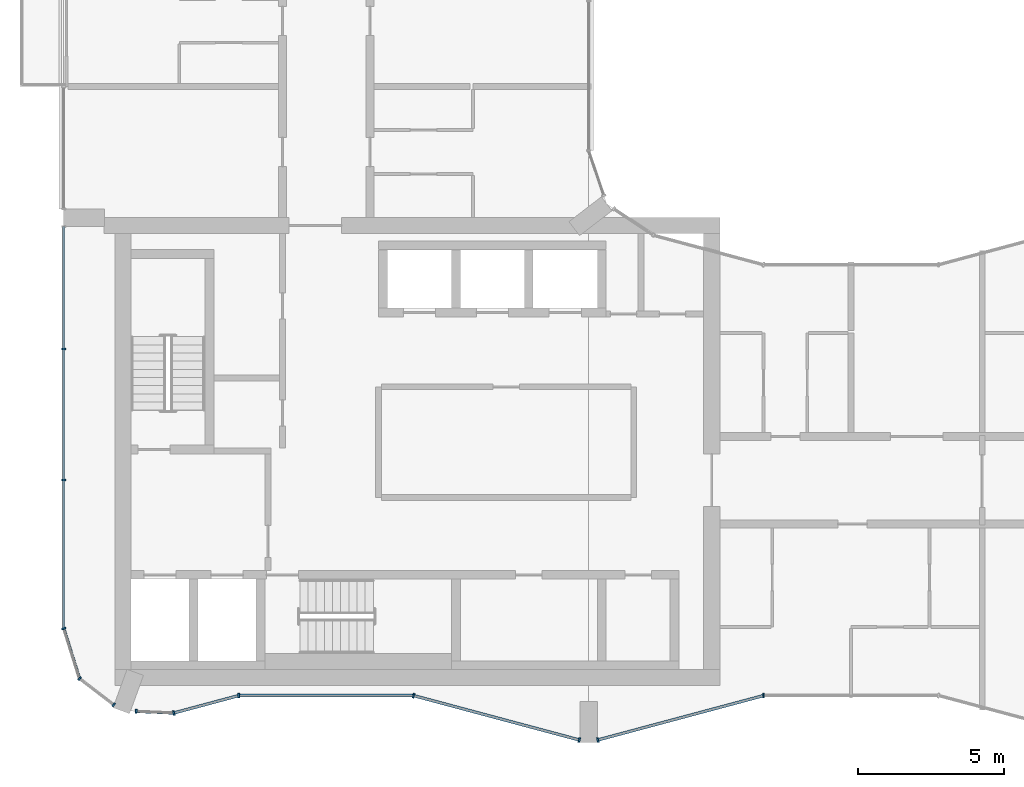
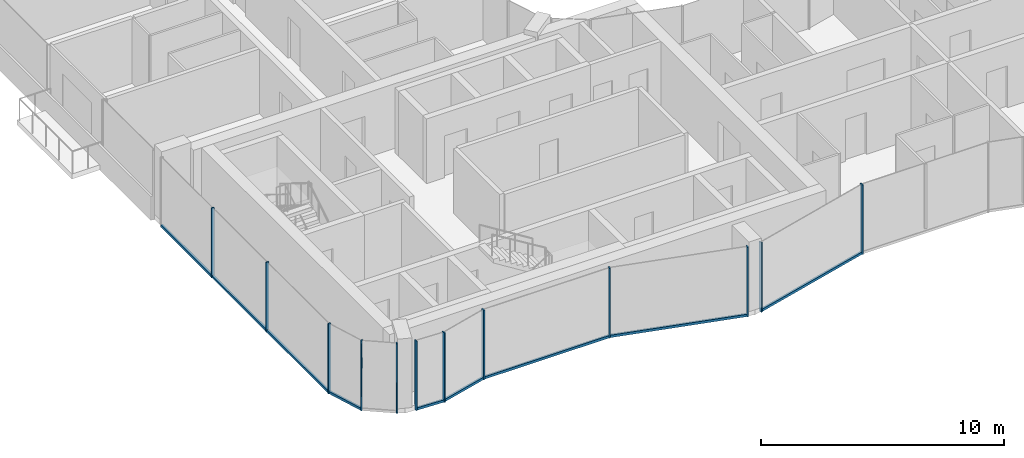
# One storey, part 2 of 16: 19 members, 9 elements without a shape of their own.
"""IFC4 building model written with IfcOpenShell, lengths in metres."""

from ifc_helpers import new_model, si_unit, direction, frame, origin, origin_2d, place, context, subcontext, project, spatial, rectangle, extrude, material, layer, layer_set, material_profile, profile_set, type_object, element, aggregate, save


model = new_model("IFC4")

# Units and contexts
model_context = context("Model", 3, precision=1e-05, world=origin(), true_north=direction((0.0, 1.0)))
body_context = subcontext(model_context, "Body", "Model", "MODEL_VIEW")
ifc_project = project(units=[si_unit("LENGTHUNIT", "METRE"), si_unit("AREAUNIT", "SQUARE_METRE"), si_unit("VOLUMEUNIT", "CUBIC_METRE"), si_unit("PLANEANGLEUNIT", "RADIAN"), si_unit("MASSUNIT", "GRAM", prefix="KILO")], contexts=[model_context])

# Site, building, storey
site_placement = place(None, origin())
site = spatial("IfcSite", under=ifc_project, at=site_placement, CompositionType="ELEMENT")
building_placement = place(site_placement, origin())
building = spatial("IfcBuilding", under=site, at=building_placement, Name="Plateau Cross Towers", CompositionType="ELEMENT")
storey_placement = place(building_placement, frame((0.0, 0.0, 211.89990234375)))
storey = spatial("IfcBuildingStorey", under=building, at=storey_placement, Name="L55", CompositionType="ELEMENT", Elevation=211.89990234375)

# Curtain wall, members
ifc_material_1 = material(Name="Dark low-iron glass", Category="glass")
ifc_layer_1 = layer(ifc_material_1, 0.239990234375)
ifc_layer_set_1 = layer_set([ifc_layer_1], Name="Dark low-iron glass")
curtain_wall_type_1 = type_object("IfcCurtainWallType", Name="Curtain wall flush unitised CW-B", PredefinedType="NOTDEFINED", material=ifc_layer_set_1)
curtain_wall_1_placement = place(storey_placement, origin())
curtain_wall_1 = element("IfcCurtainWall", 1, at=curtain_wall_1_placement, inside=storey, type_object=curtain_wall_type_1, Name="ENV/A/L55/A0_177", PredefinedType="NOTDEFINED")
ifc_material_2 = material(Name="Black anodised aluminium", Category="aluminium")
ifc_material_profile_1 = material_profile(ifc_material_2, rectangle(XDim=0.06005859375, YDim=0.139892578125, at=origin_2d()), Name="MULLION 60x140")
ifc_profile_set_1 = profile_set([ifc_material_profile_1], Name="Black anodised aluminium")
member_type_1 = type_object("IfcMemberType", Name="Mullion 60x140 flush unitised", PredefinedType="MULLION", material=ifc_profile_set_1)
member_1_placement = place(storey_placement, frame((0.0, 13.5, -0.25), z_axis=(0.0, 0.0, 1.0), x_axis=(0.0, -1.0, 0.0)))
member_1 = element("IfcMember", 2, at=member_1_placement, type_object=member_type_1, Name="CW-B mullion 2", PredefinedType="MULLION", context=body_context, shape_type="SweptSolid", body=[
    extrude(rectangle(XDim=0.06005859375, YDim=0.139892578125, at=origin_2d()), origin(), (0.0, 0.0, 1.0), 3.5),
])
member_2_placement = place(storey_placement, frame((0.0, 9.0, -0.25), z_axis=(0.0, 0.0, 1.0), x_axis=(0.0, -1.0, 0.0)))
member_2 = element("IfcMember", 3, at=member_2_placement, type_object=member_type_1, Name="CW-B mullion 3", PredefinedType="MULLION", context=body_context, shape_type="SweptSolid", body=[
    extrude(rectangle(XDim=0.06005859375, YDim=0.139892578125, at=origin_2d()), origin(), (0.0, 0.0, 1.0), 3.5),
])

# Curtain wall, member
curtain_wall_2_placement = place(storey_placement, origin())
curtain_wall_2 = element("IfcCurtainWall", 4, at=curtain_wall_2_placement, inside=storey, type_object=curtain_wall_type_1, Name="ENV/A/L55/A0_39", PredefinedType="NOTDEFINED")
member_3_placement = place(storey_placement, frame((0.0, 3.9091796875, -0.25), z_axis=(0.0, 0.0, 1.0), x_axis=(0.300686174994, -0.95372313811, 0.0)))
member_3 = element("IfcMember", 5, at=member_3_placement, type_object=member_type_1, Name="CW-B mullion 1", PredefinedType="MULLION", context=body_context, shape_type="SweptSolid", body=[
    extrude(rectangle(XDim=0.06005859375, YDim=0.139892578125, at=origin_2d()), origin(), (0.0, 0.0, 1.0), 3.5),
])

# Curtain wall, members
curtain_wall_3_placement = place(storey_placement, origin())
curtain_wall_3 = element("IfcCurtainWall", 6, at=curtain_wall_3_placement, inside=storey, type_object=curtain_wall_type_1, Name="ENV/A/L55/A5_22", PredefinedType="NOTDEFINED")
member_4_placement = place(storey_placement, frame((0.54248046875, 2.1884765625, -0.25), z_axis=(0.0, 0.0, 1.0), x_axis=(0.793315514529, -0.608810721331, 0.0)))
member_4 = element("IfcMember", 7, at=member_4_placement, type_object=member_type_1, Name="CW-B mullion 1", PredefinedType="MULLION", context=body_context, shape_type="SweptSolid", body=[
    extrude(rectangle(XDim=0.06005859375, YDim=0.139892578125, at=origin_2d()), origin(), (0.0, 0.0, 1.0), 3.5),
])
member_5_placement = place(storey_placement, frame((1.709716796875, 1.292724609375, -0.25), z_axis=(0.0, 0.0, 1.0), x_axis=(0.793315514529, -0.608810721331, 0.0)))
member_5 = element("IfcMember", 8, at=member_5_placement, type_object=member_type_1, Name="CW-B mullion 2", PredefinedType="MULLION", context=body_context, shape_type="SweptSolid", body=[
    extrude(rectangle(XDim=0.06005859375, YDim=0.139892578125, at=origin_2d()), origin(), (0.0, 0.0, 1.0), 3.5),
])
aggregate(curtain_wall_3, [member_4, member_5])

# Curtain wall, member
curtain_wall_4_placement = place(storey_placement, origin())
curtain_wall_4 = element("IfcCurtainWall", 9, at=curtain_wall_4_placement, inside=storey, type_object=curtain_wall_type_1, Name="ENV/A/L55/A25_11", PredefinedType="NOTDEFINED")
member_6_placement = place(storey_placement, frame((2.483642578125, 1.06787109375, -0.25), z_axis=(0.0, 0.0, 1.0), x_axis=(0.999043701491, -0.043722791671, 0.0)))
member_6 = element("IfcMember", 10, at=member_6_placement, type_object=member_type_1, Name="CW-B mullion 1", PredefinedType="MULLION", context=body_context, shape_type="SweptSolid", body=[
    extrude(rectangle(XDim=0.06005859375, YDim=0.139892578125, at=origin_2d()), origin(), (0.0, 0.0, 1.0), 3.5),
])

ifc_layer_2 = layer(ifc_material_1, 0.260009765625)
ifc_layer_set_2 = layer_set([ifc_layer_2], Name="Dark low-iron glass")
curtain_wall_type_2 = type_object("IfcCurtainWallType", Name="Curtain wall fluted unitised CW-A", PredefinedType="NOTDEFINED", material=ifc_layer_set_2)
curtain_wall_5_placement = place(storey_placement, origin())
curtain_wall_5 = element("IfcCurtainWall", 11, at=curtain_wall_5_placement, inside=storey, type_object=curtain_wall_type_2, Name="ENV/A/L55/A38_10", PredefinedType="NOTDEFINED")
ifc_material_profile_2 = material_profile(ifc_material_2, rectangle(XDim=0.06005859375, YDim=0.159912109375, at=origin_2d()), Name="MULLION 60x160")
ifc_profile_set_2 = profile_set([ifc_material_profile_2], Name="Black anodised aluminium")
member_type_2 = type_object("IfcMemberType", Name="Mullion 60x160 fluted unitised", PredefinedType="MULLION", material=ifc_profile_set_2)
member_7_placement = place(storey_placement, frame((3.776123046875, 1.01123046875, -0.25), z_axis=(0.0, 0.0, 1.0), x_axis=(0.965957962328, 0.258699081978, 0.0)))
member_7 = element("IfcMember", 12, at=member_7_placement, type_object=member_type_2, Name="CW-A mullion 1", PredefinedType="MULLION", context=body_context, shape_type="SweptSolid", body=[
    extrude(rectangle(XDim=0.06005859375, YDim=0.159912109375, at=origin_2d()), origin(), (0.0, 0.0, 1.0), 3.5),
])

curtain_wall_6_placement = place(storey_placement, origin())
curtain_wall_6 = element("IfcCurtainWall", 13, at=curtain_wall_6_placement, inside=storey, type_object=curtain_wall_type_2, Name="ENV/A/L55/A60_16", PredefinedType="NOTDEFINED")
member_8_placement = place(storey_placement, frame((6.0, 1.60693359375, -0.25), z_axis=(0.0, 0.0, 1.0), x_axis=(1.0, 0.0, 0.0)))
member_8 = element("IfcMember", 14, at=member_8_placement, type_object=member_type_2, Name="CW-A mullion 1", PredefinedType="MULLION", context=body_context, shape_type="SweptSolid", body=[
    extrude(rectangle(XDim=0.06005859375, YDim=0.159912109375, at=origin_2d()), origin(), (0.0, 0.0, 1.0), 3.5),
])

# Curtain wall, members
curtain_wall_7_placement = place(storey_placement, origin())
curtain_wall_7 = element("IfcCurtainWall", 15, at=curtain_wall_7_placement, inside=storey, type_object=curtain_wall_type_2, Name="ENV/A/L55/A120_16", PredefinedType="NOTDEFINED")
member_9_placement = place(storey_placement, frame((12.0, 1.60693359375, -0.25), z_axis=(0.0, 0.0, 1.0), x_axis=(0.965957983404, -0.258699003279, 0.0)))
member_9 = element("IfcMember", 16, at=member_9_placement, type_object=member_type_2, Name="CW-A mullion 1", PredefinedType="MULLION", context=body_context, shape_type="SweptSolid", body=[
    extrude(rectangle(XDim=0.06005859375, YDim=0.159912109375, at=origin_2d()), origin(), (0.0, 0.0, 1.0), 3.5),
])
member_10_placement = place(storey_placement, frame((17.68212890625, 0.085205078125, -0.25), z_axis=(0.0, 0.0, 1.0), x_axis=(0.965957983404, -0.258699003279, 0.0)))
member_10 = element("IfcMember", 17, at=member_10_placement, type_object=member_type_2, Name="CW-A mullion 2", PredefinedType="MULLION", context=body_context, shape_type="SweptSolid", body=[
    extrude(rectangle(XDim=0.06005859375, YDim=0.159912109375, at=origin_2d()), origin(), (0.0, 0.0, 1.0), 3.5),
])

# Curtain wall, member
curtain_wall_8_placement = place(storey_placement, origin())
curtain_wall_8 = element("IfcCurtainWall", 18, at=curtain_wall_8_placement, inside=storey, type_object=curtain_wall_type_2, Name="ENV/A/L55/A183_1", PredefinedType="NOTDEFINED")
member_11_placement = place(storey_placement, frame((18.31787109375, 0.085205078125, -0.25), z_axis=(0.0, 0.0, 1.0), x_axis=(0.965957983404, 0.258699003279, 0.0)))
member_11 = element("IfcMember", 19, at=member_11_placement, type_object=member_type_2, Name="CW-A mullion 1", PredefinedType="MULLION", context=body_context, shape_type="SweptSolid", body=[
    extrude(rectangle(XDim=0.06005859375, YDim=0.159912109375, at=origin_2d()), origin(), (0.0, 0.0, 1.0), 3.5),
])

curtain_wall_9_placement = place(storey_placement, origin())
curtain_wall_9 = element("IfcCurtainWall", 20, at=curtain_wall_9_placement, inside=storey, type_object=curtain_wall_type_2, Name="ENV/A/L55/A240_16", PredefinedType="NOTDEFINED")
member_12_placement = place(storey_placement, frame((24.0, 1.60693359375, -0.25), z_axis=(0.0, 0.0, 1.0), x_axis=(1.0, 0.0, 0.0)))
member_12 = element("IfcMember", 21, at=member_12_placement, type_object=member_type_2, Name="CW-A mullion 1", PredefinedType="MULLION", context=body_context, shape_type="SweptSolid", body=[
    extrude(rectangle(XDim=0.06005859375, YDim=0.159912109375, at=origin_2d()), origin(), (0.0, 0.0, 1.0), 3.5),
])
aggregate(curtain_wall_9, [member_12])

# Member
ifc_material_profile_3 = material_profile(ifc_material_2, rectangle(XDim=0.10009765625, YDim=0.1201171875, at=origin_2d()), Name="TRANSOM 100x120")
ifc_profile_set_3 = profile_set([ifc_material_profile_3], Name="Black anodised aluminium")
member_type_3 = type_object("IfcMemberType", Name="Transom 100x120 flush unitised", PredefinedType="USERDEFINED", material=ifc_profile_set_3)
member_13_placement = place(storey_placement, frame((0.0, 17.699951171875, -0.18994140625), z_axis=(0.0, -1.0, 0.0), x_axis=(1.0, 0.0, 0.0)))
member_13 = element("IfcMember", 22, at=member_13_placement, type_object=member_type_3, Name="CW-B transom", ObjectType="TRANSOM", PredefinedType="USERDEFINED", context=body_context, shape_type="SweptSolid", body=[
    extrude(rectangle(XDim=0.10009765625, YDim=0.1201171875, at=origin_2d()), origin(), (0.0, 0.0, 1.0), 13.790771484375),
])

aggregate(curtain_wall_1, [member_1, member_2, member_13])

member_14_placement = place(storey_placement, frame((0.0, 3.9091796875, -0.18994140625), z_axis=(0.30067799945, -0.953725715626, 0.0), x_axis=(0.953725715626, 0.30067799945, 0.0)))
member_14 = element("IfcMember", 23, at=member_14_placement, type_object=member_type_3, Name="CW-B transom", ObjectType="TRANSOM", PredefinedType="USERDEFINED", context=body_context, shape_type="SweptSolid", body=[
    extrude(rectangle(XDim=0.10009765625, YDim=0.1201171875, at=origin_2d()), origin(), (0.0, 0.0, 1.0), 1.80419921875),
])

aggregate(curtain_wall_2, [member_3, member_14])

member_15_placement = place(storey_placement, frame((2.483642578125, 1.06787109375, -0.18994140625), z_axis=(0.999041144614, -0.043781175963, 0.0), x_axis=(0.043781175963, 0.999041144614, 0.0)))
member_15 = element("IfcMember", 24, at=member_15_placement, type_object=member_type_3, Name="CW-B transom", ObjectType="TRANSOM", PredefinedType="USERDEFINED", context=body_context, shape_type="SweptSolid", body=[
    extrude(rectangle(XDim=0.10009765625, YDim=0.1201171875, at=origin_2d()), origin(), (0.0, 0.0, 1.0), 1.293701171875),
])

aggregate(curtain_wall_4, [member_6, member_15])

ifc_material_profile_4 = material_profile(ifc_material_2, rectangle(XDim=0.10009765625, YDim=0.1201171875, at=origin_2d()), Name="TRANSOM 100x120")
ifc_profile_set_4 = profile_set([ifc_material_profile_4], Name="Black anodised aluminium")
member_type_4 = type_object("IfcMemberType", Name="Transom 100x120 fluted unitised", PredefinedType="USERDEFINED", material=ifc_profile_set_4)
member_16_placement = place(storey_placement, frame((3.776123046875, 1.01123046875, -0.18994140625), z_axis=(0.965945685136, 0.258744919501, 0.0), x_axis=(-0.258744919501, 0.965945685136, 0.0)))
member_16 = element("IfcMember", 25, at=member_16_placement, type_object=member_type_4, Name="CW-A transom", ObjectType="TRANSOM", PredefinedType="USERDEFINED", context=body_context, shape_type="SweptSolid", body=[
    extrude(rectangle(XDim=0.10009765625, YDim=0.1201171875, at=origin_2d()), origin(), (0.0, 0.0, 1.0), 2.30224609375),
])

aggregate(curtain_wall_5, [member_7, member_16])

member_17_placement = place(storey_placement, frame((6.0, 1.60693359375, -0.18994140625), z_axis=(1.0, 0.0, 0.0), x_axis=(0.0, 1.0, 0.0)))
member_17 = element("IfcMember", 26, at=member_17_placement, type_object=member_type_4, Name="CW-A transom", ObjectType="TRANSOM", PredefinedType="USERDEFINED", context=body_context, shape_type="SweptSolid", body=[
    extrude(rectangle(XDim=0.10009765625, YDim=0.1201171875, at=origin_2d()), origin(), (0.0, 0.0, 1.0), 6.0),
])

aggregate(curtain_wall_6, [member_8, member_17])

member_18_placement = place(storey_placement, frame((12.0, 1.60693359375, -0.18994140625), z_axis=(0.965959534794, -0.258693210465, 0.0), x_axis=(0.258693210465, 0.965959534794, 0.0)))
member_18 = element("IfcMember", 27, at=member_18_placement, type_object=member_type_4, Name="CW-A transom", ObjectType="TRANSOM", PredefinedType="USERDEFINED", context=body_context, shape_type="SweptSolid", body=[
    extrude(rectangle(XDim=0.10009765625, YDim=0.1201171875, at=origin_2d()), origin(), (0.0, 0.0, 1.0), 5.88232421875),
])

aggregate(curtain_wall_7, [member_9, member_10, member_18])

member_19_placement = place(storey_placement, frame((18.31787109375, 0.085205078125, -0.18994140625), z_axis=(0.965959534794, 0.258693210465, 0.0), x_axis=(-0.258693210465, 0.965959534794, 0.0)))
member_19 = element("IfcMember", 28, at=member_19_placement, type_object=member_type_4, Name="CW-A transom", ObjectType="TRANSOM", PredefinedType="USERDEFINED", context=body_context, shape_type="SweptSolid", body=[
    extrude(rectangle(XDim=0.10009765625, YDim=0.1201171875, at=origin_2d()), origin(), (0.0, 0.0, 1.0), 5.88232421875),
])

aggregate(curtain_wall_8, [member_11, member_19])

save(model, "model.ifc")
